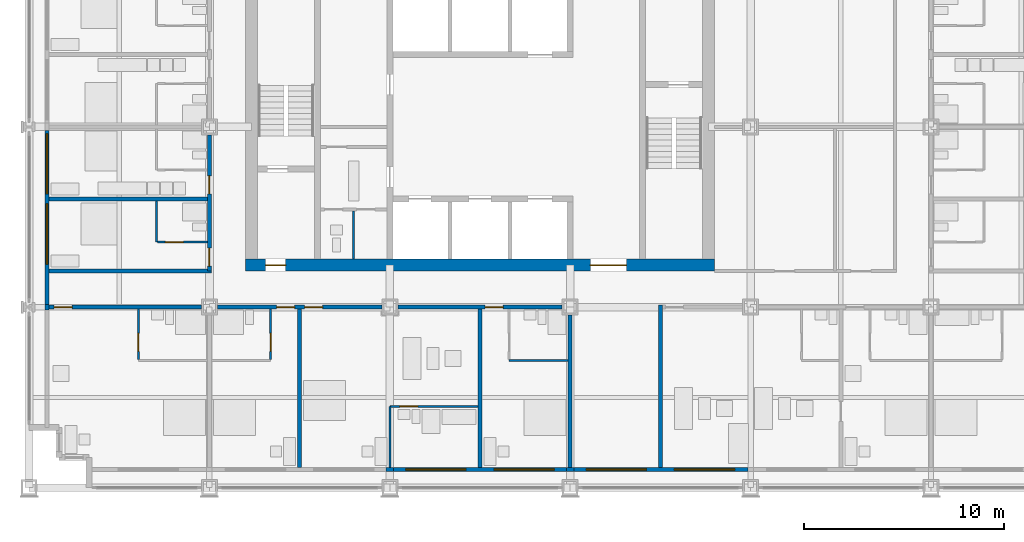
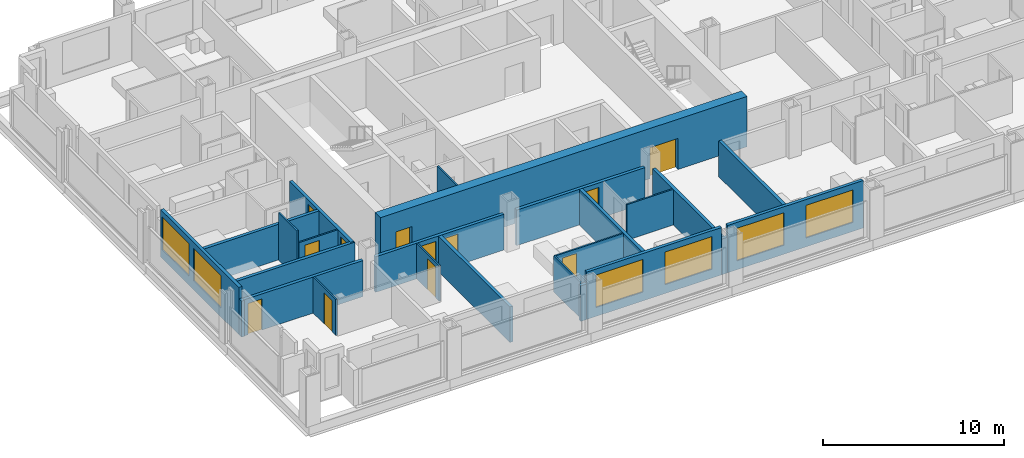
# One storey, part 10 of 18: 25 walls, 12 doors, 6 windows, 18 openings.
"""IFC4 building model written with IfcOpenShell, lengths in metres."""

from ifc_helpers import new_model, si_unit, direction, frame, frame_2d, origin, place, context, subcontext, project, spatial, rectangle, extrude, material, layer, layer_set, type_object, element, fill, save


model = new_model("IFC4")

# Units and contexts
model_context = context("Model", 3, precision=1e-05, world=origin(), true_north=direction((0.0, 1.0)))
body_context = subcontext(model_context, "Body", "Model", "MODEL_VIEW")
ifc_project = project(units=[si_unit("LENGTHUNIT", "METRE"), si_unit("AREAUNIT", "SQUARE_METRE"), si_unit("VOLUMEUNIT", "CUBIC_METRE"), si_unit("PLANEANGLEUNIT", "RADIAN"), si_unit("MASSUNIT", "GRAM", prefix="KILO")], contexts=[model_context])

# Site, building, storey
site_placement = place(None, origin())
site = spatial("IfcSite", under=ifc_project, at=site_placement, CompositionType="ELEMENT")
building_placement = place(site_placement, origin())
building = spatial("IfcBuilding", under=site, at=building_placement, Name="Loomwork Tower", CompositionType="ELEMENT")
storey_placement = place(building_placement, frame((0.0, 0.0, 51.800048828125)))
storey = spatial("IfcBuildingStorey", under=building, at=storey_placement, Name="L12", CompositionType="ELEMENT", Elevation=51.800048828125)

# Wall, openings, doors
ifc_material_1 = material(Name="Concrete 14000 psi (97 MPa)", Category="concrete")
ifc_layer_1 = layer(ifc_material_1, 0.60009765625)
ifc_layer_set_1 = layer_set([ifc_layer_1], Name="Core shear wall 600")
wall_type_1 = type_object("IfcWallType", Name="Core shear wall 600", PredefinedType="SHEAR", material=ifc_layer_set_1)
wall_1_placement = place(storey_placement, frame((10.800048828125, 11.10009765625, 0.0), z_axis=(0.0, 0.0, 1.0), x_axis=(1.0, 0.0, 0.0)))
wall_1 = element("IfcWall", 1, at=wall_1_placement, inside=storey, type_object=wall_type_1, Name="Core wall south L12", PredefinedType="SHEAR", context=body_context, shape_type="SweptSolid", body=[
    extrude(rectangle(XDim=23.39990234375, YDim=0.60009765625, at=frame_2d((11.699951171875, 0.0))), origin(), (0.0, 0.0, 1.0), 3.39990234375),
])
opening_1_placement = place(wall_1_placement, frame((1.0, 0.0, 0.0)))
opening_1 = element("IfcOpeningElement", 2, at=opening_1_placement, cuts=wall_1, Name="Opening D4", PredefinedType="OPENING", context=body_context, shape_type="SweptSolid", body=[
    extrude(rectangle(XDim=1.0, YDim=2.10009765625, at=frame_2d((0.5, 1.050048828125))), frame((0.0, 0.31005859375, 0.0), z_axis=(0.0, -1.0, 0.0), x_axis=(1.0, 0.0, 0.0)), (0.0, 0.0, 1.0), 0.6201171875),
])
opening_2_placement = place(wall_1_placement, frame((17.199951171875, 0.0, 0.0)))
opening_2 = element("IfcOpeningElement", 3, at=opening_2_placement, cuts=wall_1, Name="Opening D6", PredefinedType="OPENING", context=body_context, shape_type="SweptSolid", body=[
    extrude(rectangle(XDim=1.800048828125, YDim=2.10009765625, at=frame_2d((0.89990234375, 1.050048828125))), frame((0.0, 0.31005859375, 0.0), z_axis=(0.0, -1.0, 0.0), x_axis=(1.0, 0.0, 0.0)), (0.0, 0.0, 1.0), 0.6201171875),
])
ifc_material_2 = material(Name="Hollow metal door and frame")
door_type_1 = type_object("IfcDoorType", Name="Lobby passage double door 1800", OperationType="DOUBLE_DOOR_SINGLE_SWING", PredefinedType="DOOR", material=ifc_material_2)
door_1_placement = place(opening_2_placement, origin())
door_1 = element("IfcDoor", 4, at=door_1_placement, inside=storey, type_object=door_type_1, Name="Lobby passage door south", OperationType="DOUBLE_DOOR_SINGLE_SWING", OverallHeight=2.10009765625, OverallWidth=1.800048828125, PredefinedType="DOOR", context=body_context, shape_type="SweptSolid", body=[
    extrude(rectangle(XDim=1.800048828125, YDim=2.10009765625, at=frame_2d((0.89990234375, 1.050048828125))), frame((0.0, 0.02490234375, 0.0), z_axis=(0.0, -1.0, 0.0), x_axis=(1.0, 0.0, 0.0)), (0.0, 0.0, 1.0), 0.050048828125),
])
fill(opening_2, door_1)
ifc_material_3 = material(Name="Hollow metal door and frame")
door_type_2 = type_object("IfcDoorType", Name="Stair door 1000", OperationType="SINGLE_SWING_RIGHT", PredefinedType="DOOR", material=ifc_material_3)
door_2_placement = place(opening_1_placement, origin())
door_2 = element("IfcDoor", 5, at=door_2_placement, inside=storey, type_object=door_type_2, Name="Stair A vestibule door", OperationType="SINGLE_SWING_LEFT", OverallHeight=2.10009765625, OverallWidth=1.0, PredefinedType="DOOR", context=body_context, shape_type="SweptSolid", body=[
    extrude(rectangle(XDim=1.0, YDim=2.10009765625, at=frame_2d((0.5, 1.050048828125))), frame((0.0, 0.02490234375, 0.0), z_axis=(0.0, -1.0, 0.0), x_axis=(1.0, 0.0, 0.0)), (0.0, 0.0, 1.0), 0.050048828125),
])
fill(opening_1, door_2)

# Wall, opening, door
ifc_material_4 = material(Name="Gypsum board on steel studs, one-hour", Category="steel")
ifc_layer_2 = layer(ifc_material_4, 0.199951171875)
ifc_layer_set_2 = layer_set([ifc_layer_2], Name="Corridor wall 200")
wall_type_2 = type_object("IfcWallType", Name="Corridor wall 200", PredefinedType="PARTITIONING", material=ifc_layer_set_2)
wall_2_placement = place(storey_placement, frame((1.0, 9.0, 0.0), z_axis=(0.0, 0.0, 1.0), x_axis=(1.0, 0.0, 0.0)))
wall_2 = element("IfcWall", 6, at=wall_2_placement, inside=storey, type_object=wall_type_2, Name="South corridor wall 1", PredefinedType="PARTITIONING", context=body_context, shape_type="SweptSolid", body=[
    extrude(rectangle(XDim=7.60009765625, YDim=0.199951171875, at=frame_2d((3.800048828125, 0.0))), origin(), (0.0, 0.0, 1.0), 2.43798828125),
])
opening_3_placement = place(wall_2_placement, frame((0.25, 0.0, 0.0)))
opening_3 = element("IfcOpeningElement", 7, at=opening_3_placement, cuts=wall_2, Name="Opening D1", PredefinedType="OPENING", context=body_context, shape_type="SweptSolid", body=[
    extrude(rectangle(XDim=0.89990234375, YDim=2.10009765625, at=frame_2d((0.449951171875, 1.050048828125))), frame((0.0, 0.10986328125, 0.0), z_axis=(0.0, -1.0, 0.0), x_axis=(1.0, 0.0, 0.0)), (0.0, 0.0, 1.0), 0.219970703125),
])
ifc_material_5 = material(Name="Hollow metal door and frame")
door_type_3 = type_object("IfcDoorType", Name="Guest room entry door 900", OperationType="SINGLE_SWING_LEFT", PredefinedType="DOOR", material=ifc_material_5)
door_3_placement = place(opening_3_placement, frame((0.89990234375, 0.0, 0.0), z_axis=(0.0, 0.0, 1.0), x_axis=(-1.0, 0.0, 0.0)))
door_3 = element("IfcDoor", 8, at=door_3_placement, inside=storey, type_object=door_type_3, Name="Guest room entry door L12 1", OperationType="SINGLE_SWING_RIGHT", OverallHeight=2.10009765625, OverallWidth=0.89990234375, PredefinedType="DOOR", context=body_context, shape_type="SweptSolid", body=[
    extrude(rectangle(XDim=0.89990234375, YDim=2.10009765625, at=frame_2d((0.449951171875, 1.050048828125))), frame((0.0, 0.02490234375, 0.0), z_axis=(0.0, -1.0, 0.0), x_axis=(1.0, 0.0, 0.0)), (0.0, 0.0, 1.0), 0.050048828125),
])
fill(opening_3, door_3)

# Wall, openings, doors
wall_3_placement = place(storey_placement, frame((9.39990234375, 9.0, 0.0), z_axis=(0.0, 0.0, 1.0), x_axis=(1.0, 0.0, 0.0)))
wall_3 = element("IfcWall", 9, at=wall_3_placement, inside=storey, type_object=wall_type_2, Name="South corridor wall 2", PredefinedType="PARTITIONING", context=body_context, shape_type="SweptSolid", body=[
    extrude(rectangle(XDim=8.2001953125, YDim=0.199951171875, at=frame_2d((4.10009765625, 0.0))), origin(), (0.0, 0.0, 1.0), 2.405029296875),
])
opening_4_placement = place(wall_3_placement, frame((2.949951171875, 0.0, 0.0)))
opening_4 = element("IfcOpeningElement", 10, at=opening_4_placement, cuts=wall_3, Name="Opening D1", PredefinedType="OPENING", context=body_context, shape_type="SweptSolid", body=[
    extrude(rectangle(XDim=0.89990234375, YDim=2.10009765625, at=frame_2d((0.449951171875, 1.050048828125))), frame((0.0, 0.10986328125, 0.0), z_axis=(0.0, -1.0, 0.0), x_axis=(1.0, 0.0, 0.0)), (0.0, 0.0, 1.0), 0.219970703125),
])
opening_5_placement = place(wall_3_placement, frame((4.35009765625, 0.0, 0.0)))
opening_5 = element("IfcOpeningElement", 11, at=opening_5_placement, cuts=wall_3, Name="Opening D1", PredefinedType="OPENING", context=body_context, shape_type="SweptSolid", body=[
    extrude(rectangle(XDim=0.89990234375, YDim=2.10009765625, at=frame_2d((0.449951171875, 1.050048828125))), frame((0.0, 0.10986328125, 0.0), z_axis=(0.0, -1.0, 0.0), x_axis=(1.0, 0.0, 0.0)), (0.0, 0.0, 1.0), 0.219970703125),
])
door_4_placement = place(opening_4_placement, frame((0.89990234375, 0.0, 0.0), z_axis=(0.0, 0.0, 1.0), x_axis=(-1.0, 0.0, 0.0)))
door_4 = element("IfcDoor", 12, at=door_4_placement, inside=storey, type_object=door_type_3, Name="Guest room entry door L12 2", OperationType="SINGLE_SWING_LEFT", OverallHeight=2.10009765625, OverallWidth=0.89990234375, PredefinedType="DOOR", context=body_context, shape_type="SweptSolid", body=[
    extrude(rectangle(XDim=0.89990234375, YDim=2.10009765625, at=frame_2d((0.449951171875, 1.050048828125))), frame((0.0, 0.02490234375, 0.0), z_axis=(0.0, -1.0, 0.0), x_axis=(1.0, 0.0, 0.0)), (0.0, 0.0, 1.0), 0.050048828125),
])
fill(opening_4, door_4)
door_5_placement = place(opening_5_placement, frame((0.89990234375, 0.0, 0.0), z_axis=(0.0, 0.0, 1.0), x_axis=(-1.0, 0.0, 0.0)))
door_5 = element("IfcDoor", 13, at=door_5_placement, inside=storey, type_object=door_type_3, Name="Guest room entry door L12 3", OperationType="SINGLE_SWING_RIGHT", OverallHeight=2.10009765625, OverallWidth=0.89990234375, PredefinedType="DOOR", context=body_context, shape_type="SweptSolid", body=[
    extrude(rectangle(XDim=0.89990234375, YDim=2.10009765625, at=frame_2d((0.449951171875, 1.050048828125))), frame((0.0, 0.02490234375, 0.0), z_axis=(0.0, -1.0, 0.0), x_axis=(1.0, 0.0, 0.0)), (0.0, 0.0, 1.0), 0.050048828125),
])
fill(opening_5, door_5)

# Wall, opening, door
wall_4_placement = place(storey_placement, frame((18.39990234375, 9.0, 0.0), z_axis=(0.0, 0.0, 1.0), x_axis=(1.0, 0.0, 0.0)))
wall_4 = element("IfcWall", 14, at=wall_4_placement, inside=storey, type_object=wall_type_2, Name="South corridor wall 3", PredefinedType="PARTITIONING", context=body_context, shape_type="SweptSolid", body=[
    extrude(rectangle(XDim=8.2001953125, YDim=0.199951171875, at=frame_2d((4.10009765625, 0.0))), origin(), (0.0, 0.0, 1.0), 2.405029296875),
])
opening_6_placement = place(wall_4_placement, frame((4.35009765625, 0.0, 0.0)))
opening_6 = element("IfcOpeningElement", 15, at=opening_6_placement, cuts=wall_4, Name="Opening D1", PredefinedType="OPENING", context=body_context, shape_type="SweptSolid", body=[
    extrude(rectangle(XDim=0.89990234375, YDim=2.10009765625, at=frame_2d((0.449951171875, 1.050048828125))), frame((0.0, 0.10986328125, 0.0), z_axis=(0.0, -1.0, 0.0), x_axis=(1.0, 0.0, 0.0)), (0.0, 0.0, 1.0), 0.219970703125),
])
door_6_placement = place(opening_6_placement, frame((0.89990234375, 0.0, 0.0), z_axis=(0.0, 0.0, 1.0), x_axis=(-1.0, 0.0, 0.0)))
door_6 = element("IfcDoor", 16, at=door_6_placement, inside=storey, type_object=door_type_3, Name="Guest room entry door L12 4", OperationType="SINGLE_SWING_RIGHT", OverallHeight=2.10009765625, OverallWidth=0.89990234375, PredefinedType="DOOR", context=body_context, shape_type="SweptSolid", body=[
    extrude(rectangle(XDim=0.89990234375, YDim=2.10009765625, at=frame_2d((0.449951171875, 1.050048828125))), frame((0.0, 0.02490234375, 0.0), z_axis=(0.0, -1.0, 0.0), x_axis=(1.0, 0.0, 0.0)), (0.0, 0.0, 1.0), 0.050048828125),
])
fill(opening_6, door_6)

# Wall, openings, doors
wall_5_placement = place(storey_placement, frame((9.0, 10.800048828125, 0.0), z_axis=(0.0, 0.0, 1.0), x_axis=(0.0, 1.0, 0.0)))
wall_5 = element("IfcWall", 17, at=wall_5_placement, inside=storey, type_object=wall_type_2, Name="West corridor wall 1", PredefinedType="PARTITIONING", context=body_context, shape_type="SweptSolid", body=[
    extrude(rectangle(XDim=6.800048828125, YDim=0.199951171875, at=frame_2d((3.39990234375, 0.0))), origin(), (0.0, 0.0, 1.0), 2.405029296875),
])
opening_7_placement = place(wall_5_placement, frame((0.25, 0.0, 0.0)))
opening_7 = element("IfcOpeningElement", 18, at=opening_7_placement, cuts=wall_5, Name="Opening D1", PredefinedType="OPENING", context=body_context, shape_type="SweptSolid", body=[
    extrude(rectangle(XDim=0.89990234375, YDim=2.10009765625, at=frame_2d((0.449951171875, 1.050048828125))), frame((0.0, 0.10986328125, 0.0), z_axis=(0.0, -1.0, 0.0), x_axis=(1.0, 0.0, 0.0)), (0.0, 0.0, 1.0), 0.219970703125),
])
opening_8_placement = place(wall_5_placement, frame((3.85009765625, 0.0, 0.0)))
opening_8 = element("IfcOpeningElement", 19, at=opening_8_placement, cuts=wall_5, Name="Opening D1", PredefinedType="OPENING", context=body_context, shape_type="SweptSolid", body=[
    extrude(rectangle(XDim=0.89990234375, YDim=2.10009765625, at=frame_2d((0.449951171875, 1.050048828125))), frame((0.0, 0.10986328125, 0.0), z_axis=(0.0, -1.0, 0.0), x_axis=(1.0, 0.0, 0.0)), (0.0, 0.0, 1.0), 0.219970703125),
])
door_7_placement = place(opening_7_placement, origin())
door_7 = element("IfcDoor", 20, at=door_7_placement, inside=storey, type_object=door_type_3, Name="Guest room entry door L12 15", OperationType="SINGLE_SWING_LEFT", OverallHeight=2.10009765625, OverallWidth=0.89990234375, PredefinedType="DOOR", context=body_context, shape_type="SweptSolid", body=[
    extrude(rectangle(XDim=0.89990234375, YDim=2.10009765625, at=frame_2d((0.449951171875, 1.050048828125))), frame((0.0, 0.02490234375, 0.0), z_axis=(0.0, -1.0, 0.0), x_axis=(1.0, 0.0, 0.0)), (0.0, 0.0, 1.0), 0.050048828125),
])
fill(opening_7, door_7)
door_8_placement = place(opening_8_placement, origin())
door_8 = element("IfcDoor", 21, at=door_8_placement, inside=storey, type_object=door_type_3, Name="Guest room entry door L12 16", OperationType="SINGLE_SWING_LEFT", OverallHeight=2.10009765625, OverallWidth=0.89990234375, PredefinedType="DOOR", context=body_context, shape_type="SweptSolid", body=[
    extrude(rectangle(XDim=0.89990234375, YDim=2.10009765625, at=frame_2d((0.449951171875, 1.050048828125))), frame((0.0, 0.02490234375, 0.0), z_axis=(0.0, -1.0, 0.0), x_axis=(1.0, 0.0, 0.0)), (0.0, 0.0, 1.0), 0.050048828125),
])
fill(opening_8, door_8)

# Wall
wall_6_placement = place(storey_placement, frame((1.0, 10.800048828125, 0.0), z_axis=(0.0, 0.0, 1.0), x_axis=(1.0, 0.0, 0.0)))
element("IfcWall", 22, at=wall_6_placement, inside=storey, type_object=wall_type_2, Name="West band end wall S", PredefinedType="PARTITIONING", context=body_context, shape_type="SweptSolid", body=[
    extrude(rectangle(XDim=8.10009765625, YDim=0.199951171875, at=frame_2d((4.050048828125, 0.0))), origin(), (0.0, 0.0, 1.0), 2.404052734375),
])

# Wall, opening, door
ifc_material_6 = material(Name="Cement board on steel studs", Category="steel")
ifc_layer_3 = layer(ifc_material_6, 0.10009765625)
ifc_layer_set_3 = layer_set([ifc_layer_3], Name="En-suite partition 100")
wall_type_3 = type_object("IfcWallType", Name="En-suite partition 100", PredefinedType="PARTITIONING", material=ifc_layer_set_3)
wall_7_placement = place(storey_placement, frame((5.449951171875, 8.89990234375, 0.0), z_axis=(0.0, 0.0, 1.0), x_axis=(0.0, -1.0, 0.0)))
wall_7 = element("IfcWall", 23, at=wall_7_placement, inside=storey, type_object=wall_type_3, Name="En-suite side wall L12 room 1", PredefinedType="PARTITIONING", context=body_context, shape_type="SweptSolid", body=[
    extrude(rectangle(XDim=2.5, YDim=0.10009765625, at=frame_2d((1.25, 0.0))), origin(), (0.0, 0.0, 1.0), 2.43798828125),
])
opening_9_placement = place(wall_7_placement, frame((1.199951171875, 0.0, 0.0)))
opening_9 = element("IfcOpeningElement", 24, at=opening_9_placement, cuts=wall_7, Name="Opening D3", PredefinedType="OPENING", context=body_context, shape_type="SweptSolid", body=[
    extrude(rectangle(XDim=0.89990234375, YDim=2.10009765625, at=frame_2d((0.449951171875, 1.050048828125))), frame((0.0, 0.06005859375, 0.0), z_axis=(0.0, -1.0, 0.0), x_axis=(1.0, 0.0, 0.0)), (0.0, 0.0, 1.0), 0.1201171875),
])
ifc_material_7 = material(Name="Hollow metal door and frame")
door_type_4 = type_object("IfcDoorType", Name="Accessible en-suite door 900", OperationType="SLIDING_TO_LEFT", PredefinedType="DOOR", material=ifc_material_7)
door_9_placement = place(opening_9_placement, origin())
door_9 = element("IfcDoor", 25, at=door_9_placement, inside=storey, type_object=door_type_4, Name="Accessible en-suite door room 1", OperationType="SLIDING_TO_LEFT", OverallHeight=2.10009765625, OverallWidth=0.89990234375, PredefinedType="DOOR", context=body_context, shape_type="SweptSolid", body=[
    extrude(rectangle(XDim=0.89990234375, YDim=2.10009765625, at=frame_2d((0.449951171875, 1.050048828125))), frame((0.0, 0.02490234375, 0.0), z_axis=(0.0, -1.0, 0.0), x_axis=(1.0, 0.0, 0.0)), (0.0, 0.0, 1.0), 0.050048828125),
])
fill(opening_9, door_9)

wall_8_placement = place(storey_placement, frame((12.050048828125, 8.89990234375, 0.0), z_axis=(0.0, 0.0, 1.0), x_axis=(0.0, -1.0, 0.0)))
wall_8 = element("IfcWall", 26, at=wall_8_placement, inside=storey, type_object=wall_type_3, Name="En-suite side wall L12 room 2", PredefinedType="PARTITIONING", context=body_context, shape_type="SweptSolid", body=[
    extrude(rectangle(XDim=2.5, YDim=0.10009765625, at=frame_2d((1.25, 0.0))), origin(), (0.0, 0.0, 1.0), 2.404052734375),
])
opening_10_placement = place(wall_8_placement, frame((1.199951171875, 0.0, 0.0)))
opening_10 = element("IfcOpeningElement", 27, at=opening_10_placement, cuts=wall_8, Name="Opening D3", PredefinedType="OPENING", context=body_context, shape_type="SweptSolid", body=[
    extrude(rectangle(XDim=0.89990234375, YDim=2.10009765625, at=frame_2d((0.449951171875, 1.050048828125))), frame((0.0, 0.06005859375, 0.0), z_axis=(0.0, -1.0, 0.0), x_axis=(1.0, 0.0, 0.0)), (0.0, 0.0, 1.0), 0.1201171875),
])
door_10_placement = place(opening_10_placement, origin())
door_10 = element("IfcDoor", 28, at=door_10_placement, inside=storey, type_object=door_type_4, Name="Accessible en-suite door room 2", OperationType="SLIDING_TO_LEFT", OverallHeight=2.10009765625, OverallWidth=0.89990234375, PredefinedType="DOOR", context=body_context, shape_type="SweptSolid", body=[
    extrude(rectangle(XDim=0.89990234375, YDim=2.10009765625, at=frame_2d((0.449951171875, 1.050048828125))), frame((0.0, 0.02490234375, 0.0), z_axis=(0.0, -1.0, 0.0), x_axis=(1.0, 0.0, 0.0)), (0.0, 0.0, 1.0), 0.050048828125),
])
fill(opening_10, door_10)

wall_9_placement = place(storey_placement, frame((18.0, 4.050048828125, 0.0), z_axis=(0.0, 0.0, 1.0), x_axis=(1.0, 0.0, 0.0)))
wall_9 = element("IfcWall", 29, at=wall_9_placement, inside=storey, type_object=wall_type_3, Name="Spa bathroom wall L12 room 3", PredefinedType="PARTITIONING", context=body_context, shape_type="SweptSolid", body=[
    extrude(rectangle(XDim=4.39990234375, YDim=0.10009765625, at=frame_2d((2.199951171875, 0.0))), origin(), (0.0, 0.0, 1.0), 2.404052734375),
])
opening_11_placement = place(wall_9_placement, frame((0.5, 0.0, 0.0)))
opening_11 = element("IfcOpeningElement", 30, at=opening_11_placement, cuts=wall_9, Name="Opening D2", PredefinedType="OPENING", context=body_context, shape_type="SweptSolid", body=[
    extrude(rectangle(XDim=0.89990234375, YDim=2.10009765625, at=frame_2d((0.449951171875, 1.050048828125))), frame((0.0, 0.06005859375, 0.0), z_axis=(0.0, -1.0, 0.0), x_axis=(1.0, 0.0, 0.0)), (0.0, 0.0, 1.0), 0.1201171875),
])
ifc_material_8 = material(Name="Hollow metal door and frame")
door_type_5 = type_object("IfcDoorType", Name="En-suite door 900", OperationType="SINGLE_SWING_LEFT", PredefinedType="DOOR", material=ifc_material_8)
door_11_placement = place(opening_11_placement, frame((0.89990234375, 0.0, 0.0), z_axis=(0.0, 0.0, 1.0), x_axis=(-1.0, 0.0, 0.0)))
door_11 = element("IfcDoor", 31, at=door_11_placement, inside=storey, type_object=door_type_5, Name="Spa bathroom door room 3", OperationType="SINGLE_SWING_RIGHT", OverallHeight=2.10009765625, OverallWidth=0.89990234375, PredefinedType="DOOR", context=body_context, shape_type="SweptSolid", body=[
    extrude(rectangle(XDim=0.89990234375, YDim=2.10009765625, at=frame_2d((0.449951171875, 1.050048828125))), frame((0.0, 0.02490234375, 0.0), z_axis=(0.0, -1.0, 0.0), x_axis=(1.0, 0.0, 0.0)), (0.0, 0.0, 1.0), 0.050048828125),
])
fill(opening_11, door_11)

# Walls
wall_10_placement = place(storey_placement, frame((18.0, 4.050048828125, 0.0), z_axis=(0.0, 0.0, 1.0), x_axis=(0.0, -1.0, 0.0)))
element("IfcWall", 32, at=wall_10_placement, inside=storey, type_object=wall_type_3, Name="Spa bathroom side wall L12 room 3", PredefinedType="PARTITIONING", context=body_context, shape_type="SweptSolid", body=[
    extrude(rectangle(XDim=3.050048828125, YDim=0.10009765625, at=frame_2d((1.52490234375, 0.0))), origin(), (0.0, 0.0, 1.0), 2.405029296875),
])
wall_11_placement = place(storey_placement, frame((23.949951171875, 6.35009765625, 0.0), z_axis=(0.0, 0.0, 1.0), x_axis=(1.0, 0.0, 0.0)))
element("IfcWall", 33, at=wall_11_placement, inside=storey, type_object=wall_type_3, Name="En-suite wall L12 room 4", PredefinedType="PARTITIONING", context=body_context, shape_type="SweptSolid", body=[
    extrude(rectangle(XDim=2.949951171875, YDim=0.10009765625, at=frame_2d((1.47509765625, 0.0))), origin(), (0.0, 0.0, 1.0), 2.404052734375),
])
wall_12_placement = place(storey_placement, frame((6.35009765625, 12.25, 0.0), z_axis=(0.0, 0.0, 1.0), x_axis=(0.0, 1.0, 0.0)))
element("IfcWall", 34, at=wall_12_placement, inside=storey, type_object=wall_type_3, Name="En-suite wall L12 room 15", PredefinedType="PARTITIONING", context=body_context, shape_type="SweptSolid", body=[
    extrude(rectangle(XDim=2.050048828125, YDim=0.10009765625, at=frame_2d((1.02490234375, 0.0))), origin(), (0.0, 0.0, 1.0), 3.199951171875),
])

# Wall, opening, door
wall_13_placement = place(storey_placement, frame((8.89990234375, 12.25, 0.0), z_axis=(0.0, 0.0, 1.0), x_axis=(-1.0, 0.0, 0.0)))
wall_13 = element("IfcWall", 35, at=wall_13_placement, inside=storey, type_object=wall_type_3, Name="En-suite side wall L12 room 15", PredefinedType="PARTITIONING", context=body_context, shape_type="SweptSolid", body=[
    extrude(rectangle(XDim=2.5, YDim=0.10009765625, at=frame_2d((1.25, 0.0))), origin(), (0.0, 0.0, 1.0), 2.404052734375),
])
opening_12_placement = place(wall_13_placement, frame((1.199951171875, 0.0, 0.0)))
opening_12 = element("IfcOpeningElement", 36, at=opening_12_placement, cuts=wall_13, Name="Opening D2", PredefinedType="OPENING", context=body_context, shape_type="SweptSolid", body=[
    extrude(rectangle(XDim=0.89990234375, YDim=2.10009765625, at=frame_2d((0.449951171875, 1.050048828125))), frame((0.0, 0.06005859375, 0.0), z_axis=(0.0, -1.0, 0.0), x_axis=(1.0, 0.0, 0.0)), (0.0, 0.0, 1.0), 0.1201171875),
])
door_12_placement = place(opening_12_placement, frame((0.89990234375, 0.0, 0.0), z_axis=(0.0, 0.0, 1.0), x_axis=(-1.0, 0.0, 0.0)))
door_12 = element("IfcDoor", 37, at=door_12_placement, inside=storey, type_object=door_type_5, Name="En-suite door room 15", OperationType="SINGLE_SWING_LEFT", OverallHeight=2.10009765625, OverallWidth=0.89990234375, PredefinedType="DOOR", context=body_context, shape_type="SweptSolid", body=[
    extrude(rectangle(XDim=0.89990234375, YDim=2.10009765625, at=frame_2d((0.449951171875, 1.050048828125))), frame((0.0, 0.02490234375, 0.0), z_axis=(0.0, -1.0, 0.0), x_axis=(1.0, 0.0, 0.0)), (0.0, 0.0, 1.0), 0.050048828125),
])
fill(opening_12, door_12)

# Walls
wall_14_placement = place(storey_placement, frame((16.199951171875, 11.39990234375, 0.0), z_axis=(0.0, 0.0, 1.0), x_axis=(0.0, 1.0, 0.0)))
element("IfcWall", 38, at=wall_14_placement, inside=storey, type_object=wall_type_3, Name="Back-of-house partition L12 2", PredefinedType="PARTITIONING", context=body_context, shape_type="SweptSolid", body=[
    extrude(rectangle(XDim=2.400146484375, YDim=0.10009765625, at=frame_2d((1.2001953125, 0.0))), origin(), (0.0, 0.0, 1.0), 3.199951171875),
])
ifc_material_9 = material(Name="Gypsum board on steel studs, acoustic", Category="steel")
ifc_layer_4 = layer(ifc_material_9, 0.199951171875)
ifc_layer_set_4 = layer_set([ifc_layer_4], Name="Guest room party wall 200")
wall_type_4 = type_object("IfcWallType", Name="Guest room party wall 200", PredefinedType="PARTITIONING", material=ifc_layer_set_4)
for number, where, z_axis, x_axis, name in (
    (39, (13.5, 8.89990234375, 0.0), (0.0, 0.0, 1.0), (0.0, -1.0, 0.0), "Guest room party wall S 13.5"),
    (40, (22.5, 8.89990234375, 0.0), (0.0, 0.0, 1.0), (0.0, -1.0, 0.0), "Guest room party wall S 22.5"),
):
    element("IfcWall", number, at=place(storey_placement, frame(where, z_axis=z_axis, x_axis=x_axis)), inside=storey, type_object=wall_type_4, Name=name, PredefinedType="PARTITIONING", context=body_context, shape_type="SweptSolid", body=[
        extrude(rectangle(XDim=7.89990234375, YDim=0.199951171875, at=frame_2d((3.949951171875, 0.0))), origin(), (0.0, 0.0, 1.0), 2.404052734375),
    ])
wall_15_placement = place(storey_placement, frame((27.0, 8.60009765625, 0.0), z_axis=(0.0, 0.0, 1.0), x_axis=(0.0, -1.0, 0.0)))
element("IfcWall", 41, at=wall_15_placement, inside=storey, type_object=wall_type_4, Name="Guest room party wall S 27", PredefinedType="PARTITIONING", context=body_context, shape_type="SweptSolid", body=[
    extrude(rectangle(XDim=7.60009765625, YDim=0.199951171875, at=frame_2d((3.800048828125, 0.0))), origin(), (0.0, 0.0, 1.0), 2.405029296875),
])
wall_16_placement = place(storey_placement, frame((31.5, 9.10009765625, 0.0), z_axis=(0.0, 0.0, 1.0), x_axis=(0.0, -1.0, 0.0)))
element("IfcWall", 42, at=wall_16_placement, inside=storey, type_object=wall_type_4, Name="Guest room party wall S 31.5", PredefinedType="PARTITIONING", context=body_context, shape_type="SweptSolid", body=[
    extrude(rectangle(XDim=8.10009765625, YDim=0.199951171875, at=frame_2d((4.050048828125, 0.0))), origin(), (0.0, 0.0, 1.0), 2.404052734375),
])
wall_17_placement = place(storey_placement, frame((8.89990234375, 14.39990234375, 0.0), z_axis=(0.0, 0.0, 1.0), x_axis=(-1.0, 0.0, 0.0)))
element("IfcWall", 43, at=wall_17_placement, inside=storey, type_object=wall_type_4, Name="Guest room party wall W 14.4", PredefinedType="PARTITIONING", context=body_context, shape_type="SweptSolid", body=[
    extrude(rectangle(XDim=7.89990234375, YDim=0.199951171875, at=frame_2d((3.949951171875, 0.0))), origin(), (0.0, 0.0, 1.0), 2.404052734375),
])
ifc_material_10 = material(Name="Insulated steel stud wall with gypsum lining", Category="steel")
ifc_layer_5 = layer(ifc_material_10, 0.199951171875)
ifc_layer_set_5 = layer_set([ifc_layer_5], Name="Inner skin wall 200")
wall_type_5 = type_object("IfcWallType", Name="Inner skin wall 200", PredefinedType="SOLIDWALL", material=ifc_layer_set_5)
wall_18_placement = place(storey_placement, frame((17.80615234375, 0.89990234375, 0.0), z_axis=(0.0, 0.0, 1.0), x_axis=(1.0, 0.0, 0.0)))
element("IfcWall", 44, at=wall_18_placement, inside=storey, type_object=wall_type_5, Name="Inner skin wall S bay 4", PredefinedType="SOLIDWALL", context=body_context, shape_type="SweptSolid", body=[
    extrude(rectangle(XDim=0.3876953125, YDim=0.199951171875, at=frame_2d((0.19384765625, 0.0))), origin(), (0.0, 0.0, 1.0), 2.404052734375),
])

# Wall, openings, windows
wall_19_placement = place(storey_placement, frame((18.19384765625, 0.89990234375, 0.0), z_axis=(0.0, 0.0, 1.0), x_axis=(1.0, 0.0, 0.0)))
wall_19 = element("IfcWall", 45, at=wall_19_placement, inside=storey, type_object=wall_type_5, Name="Inner skin wall S bay 5", PredefinedType="SOLIDWALL", context=body_context, shape_type="SweptSolid", body=[
    extrude(rectangle(XDim=8.6123046875, YDim=0.199951171875, at=frame_2d((4.30615234375, 0.0))), origin(), (0.0, 0.0, 1.0), 3.199951171875),
])
opening_13_placement = place(wall_19_placement, frame((0.606201171875, 0.0, 0.60009765625)))
opening_13 = element("IfcOpeningElement", 46, at=opening_13_placement, cuts=wall_19, Name="Opening CH1", PredefinedType="OPENING", context=body_context, shape_type="SweptSolid", body=[
    extrude(rectangle(XDim=3.0, YDim=2.199951171875, at=frame_2d((1.5, 1.10009765625))), frame((0.0, 0.10986328125, 0.0), z_axis=(0.0, -1.0, 0.0), x_axis=(1.0, 0.0, 0.0)), (0.0, 0.0, 1.0), 0.219970703125),
])
opening_14_placement = place(wall_19_placement, frame((5.006103515625, 0.0, 0.60009765625)))
opening_14 = element("IfcOpeningElement", 47, at=opening_14_placement, cuts=wall_19, Name="Opening CH1", PredefinedType="OPENING", context=body_context, shape_type="SweptSolid", body=[
    extrude(rectangle(XDim=3.0, YDim=2.199951171875, at=frame_2d((1.5, 1.10009765625))), frame((0.0, 0.10986328125, 0.0), z_axis=(0.0, -1.0, 0.0), x_axis=(1.0, 0.0, 0.0)), (0.0, 0.0, 1.0), 0.219970703125),
])
ifc_material_11 = material(Name="Aluminium frame with clear insulated glass", Category="aluminium")
window_type = type_object("IfcWindowType", Name="Chicago window 3000", PartitioningType="TRIPLE_PANEL_VERTICAL", PredefinedType="WINDOW", material=ifc_material_11)
window_1_placement = place(opening_13_placement, origin())
window_1 = element("IfcWindow", 48, at=window_1_placement, inside=storey, type_object=window_type, Name="Chicago window L12 bay 3", OverallHeight=2.199951171875, OverallWidth=3.0, PartitioningType="TRIPLE_PANEL_VERTICAL", PredefinedType="WINDOW", context=body_context, shape_type="SweptSolid", body=[
    extrude(rectangle(XDim=3.0, YDim=2.199951171875, at=frame_2d((1.5, 1.10009765625))), frame((0.0, 0.030029296875, 0.0), z_axis=(0.0, -1.0, 0.0), x_axis=(1.0, 0.0, 0.0)), (0.0, 0.0, 1.0), 0.06005859375),
])
fill(opening_13, window_1)
window_2_placement = place(opening_14_placement, origin())
window_2 = element("IfcWindow", 49, at=window_2_placement, inside=storey, type_object=window_type, Name="Chicago window L12 bay 3", OverallHeight=2.199951171875, OverallWidth=3.0, PartitioningType="TRIPLE_PANEL_VERTICAL", PredefinedType="WINDOW", context=body_context, shape_type="SweptSolid", body=[
    extrude(rectangle(XDim=3.0, YDim=2.199951171875, at=frame_2d((1.5, 1.10009765625))), frame((0.0, 0.030029296875, 0.0), z_axis=(0.0, -1.0, 0.0), x_axis=(1.0, 0.0, 0.0)), (0.0, 0.0, 1.0), 0.06005859375),
])
fill(opening_14, window_2)

# Wall
wall_20_placement = place(storey_placement, frame((26.80615234375, 0.89990234375, 0.0), z_axis=(0.0, 0.0, 1.0), x_axis=(1.0, 0.0, 0.0)))
element("IfcWall", 50, at=wall_20_placement, inside=storey, type_object=wall_type_5, Name="Inner skin wall S bay 6", PredefinedType="SOLIDWALL", context=body_context, shape_type="SweptSolid", body=[
    extrude(rectangle(XDim=0.3876953125, YDim=0.199951171875, at=frame_2d((0.19384765625, 0.0))), origin(), (0.0, 0.0, 1.0), 2.404052734375),
])

# Wall, openings, windows
wall_21_placement = place(storey_placement, frame((27.19384765625, 0.89990234375, 0.0), z_axis=(0.0, 0.0, 1.0), x_axis=(1.0, 0.0, 0.0)))
wall_21 = element("IfcWall", 51, at=wall_21_placement, inside=storey, type_object=wall_type_5, Name="Inner skin wall S bay 7", PredefinedType="SOLIDWALL", context=body_context, shape_type="SweptSolid", body=[
    extrude(rectangle(XDim=8.670654296875, YDim=0.199951171875, at=frame_2d((4.33544921875, 0.0))), origin(), (0.0, 0.0, 1.0), 3.199951171875),
])
opening_15_placement = place(wall_21_placement, frame((0.606201171875, 0.0, 0.60009765625)))
opening_15 = element("IfcOpeningElement", 52, at=opening_15_placement, cuts=wall_21, Name="Opening CH1", PredefinedType="OPENING", context=body_context, shape_type="SweptSolid", body=[
    extrude(rectangle(XDim=3.0, YDim=2.199951171875, at=frame_2d((1.5, 1.10009765625))), frame((0.0, 0.10986328125, 0.0), z_axis=(0.0, -1.0, 0.0), x_axis=(1.0, 0.0, 0.0)), (0.0, 0.0, 1.0), 0.219970703125),
])
opening_16_placement = place(wall_21_placement, frame((5.006103515625, 0.0, 0.60009765625)))
opening_16 = element("IfcOpeningElement", 53, at=opening_16_placement, cuts=wall_21, Name="Opening CH1", PredefinedType="OPENING", context=body_context, shape_type="SweptSolid", body=[
    extrude(rectangle(XDim=3.0, YDim=2.199951171875, at=frame_2d((1.5, 1.10009765625))), frame((0.0, 0.10986328125, 0.0), z_axis=(0.0, -1.0, 0.0), x_axis=(1.0, 0.0, 0.0)), (0.0, 0.0, 1.0), 0.219970703125),
])
window_3_placement = place(opening_15_placement, origin())
window_3 = element("IfcWindow", 54, at=window_3_placement, inside=storey, type_object=window_type, Name="Chicago window L12 bay 4", OverallHeight=2.199951171875, OverallWidth=3.0, PartitioningType="TRIPLE_PANEL_VERTICAL", PredefinedType="WINDOW", context=body_context, shape_type="SweptSolid", body=[
    extrude(rectangle(XDim=3.0, YDim=2.199951171875, at=frame_2d((1.5, 1.10009765625))), frame((0.0, 0.030029296875, 0.0), z_axis=(0.0, -1.0, 0.0), x_axis=(1.0, 0.0, 0.0)), (0.0, 0.0, 1.0), 0.06005859375),
])
fill(opening_15, window_3)
window_4_placement = place(opening_16_placement, origin())
window_4 = element("IfcWindow", 55, at=window_4_placement, inside=storey, type_object=window_type, Name="Chicago window L12 bay 4", OverallHeight=2.199951171875, OverallWidth=3.0, PartitioningType="TRIPLE_PANEL_VERTICAL", PredefinedType="WINDOW", context=body_context, shape_type="SweptSolid", body=[
    extrude(rectangle(XDim=3.0, YDim=2.199951171875, at=frame_2d((1.5, 1.10009765625))), frame((0.0, 0.030029296875, 0.0), z_axis=(0.0, -1.0, 0.0), x_axis=(1.0, 0.0, 0.0)), (0.0, 0.0, 1.0), 0.06005859375),
])
fill(opening_16, window_4)

# Wall
wall_22_placement = place(storey_placement, frame((0.89990234375, 8.86474609375, 0.0), z_axis=(0.0, 0.0, 1.0), x_axis=(0.0, 1.0, 0.0)))
element("IfcWall", 56, at=wall_22_placement, inside=storey, type_object=wall_type_5, Name="Inner skin wall W bay 4", PredefinedType="SOLIDWALL", context=body_context, shape_type="SweptSolid", body=[
    extrude(rectangle(XDim=0.2705078125, YDim=0.199951171875, at=frame_2d((0.13525390625, 0.0))), origin(), (0.0, 0.0, 1.0), 2.43798828125),
])

# Wall, openings, windows
wall_23_placement = place(storey_placement, frame((0.89990234375, 9.13525390625, 0.0), z_axis=(0.0, 0.0, 1.0), x_axis=(0.0, 1.0, 0.0)))
wall_23 = element("IfcWall", 57, at=wall_23_placement, inside=storey, type_object=wall_type_5, Name="Inner skin wall W bay 5", PredefinedType="SOLIDWALL", context=body_context, shape_type="SweptSolid", body=[
    extrude(rectangle(XDim=8.6708984375, YDim=0.199951171875, at=frame_2d((4.33544921875, 0.0))), origin(), (0.0, 0.0, 1.0), 3.199951171875),
])
opening_17_placement = place(wall_23_placement, frame((2.0146484375, 0.0, 0.60009765625)))
opening_17 = element("IfcOpeningElement", 58, at=opening_17_placement, cuts=wall_23, Name="Opening CH1", PredefinedType="OPENING", context=body_context, shape_type="SweptSolid", body=[
    extrude(rectangle(XDim=3.0, YDim=2.199951171875, at=frame_2d((1.5, 1.10009765625))), frame((0.0, 0.10986328125, 0.0), z_axis=(0.0, -1.0, 0.0), x_axis=(1.0, 0.0, 0.0)), (0.0, 0.0, 1.0), 0.219970703125),
])
opening_18_placement = place(wall_23_placement, frame((5.5146484375, 0.0, 0.60009765625)))
opening_18 = element("IfcOpeningElement", 59, at=opening_18_placement, cuts=wall_23, Name="Opening CH1", PredefinedType="OPENING", context=body_context, shape_type="SweptSolid", body=[
    extrude(rectangle(XDim=3.0, YDim=2.199951171875, at=frame_2d((1.5, 1.10009765625))), frame((0.0, 0.10986328125, 0.0), z_axis=(0.0, -1.0, 0.0), x_axis=(1.0, 0.0, 0.0)), (0.0, 0.0, 1.0), 0.219970703125),
])
window_5_placement = place(opening_17_placement, origin())
window_5 = element("IfcWindow", 60, at=window_5_placement, inside=storey, type_object=window_type, Name="Chicago window L12 bay 13", OverallHeight=2.199951171875, OverallWidth=3.0, PartitioningType="TRIPLE_PANEL_VERTICAL", PredefinedType="WINDOW", context=body_context, shape_type="SweptSolid", body=[
    extrude(rectangle(XDim=3.0, YDim=2.199951171875, at=frame_2d((1.5, 1.10009765625))), frame((0.0, 0.030029296875, 0.0), z_axis=(0.0, -1.0, 0.0), x_axis=(1.0, 0.0, 0.0)), (0.0, 0.0, 1.0), 0.06005859375),
])
fill(opening_17, window_5)
window_6_placement = place(opening_18_placement, origin())
window_6 = element("IfcWindow", 61, at=window_6_placement, inside=storey, type_object=window_type, Name="Chicago window L12 bay 13", OverallHeight=2.199951171875, OverallWidth=3.0, PartitioningType="TRIPLE_PANEL_VERTICAL", PredefinedType="WINDOW", context=body_context, shape_type="SweptSolid", body=[
    extrude(rectangle(XDim=3.0, YDim=2.199951171875, at=frame_2d((1.5, 1.10009765625))), frame((0.0, 0.030029296875, 0.0), z_axis=(0.0, -1.0, 0.0), x_axis=(1.0, 0.0, 0.0)), (0.0, 0.0, 1.0), 0.06005859375),
])
fill(opening_18, window_6)

save(model, "model.ifc")
